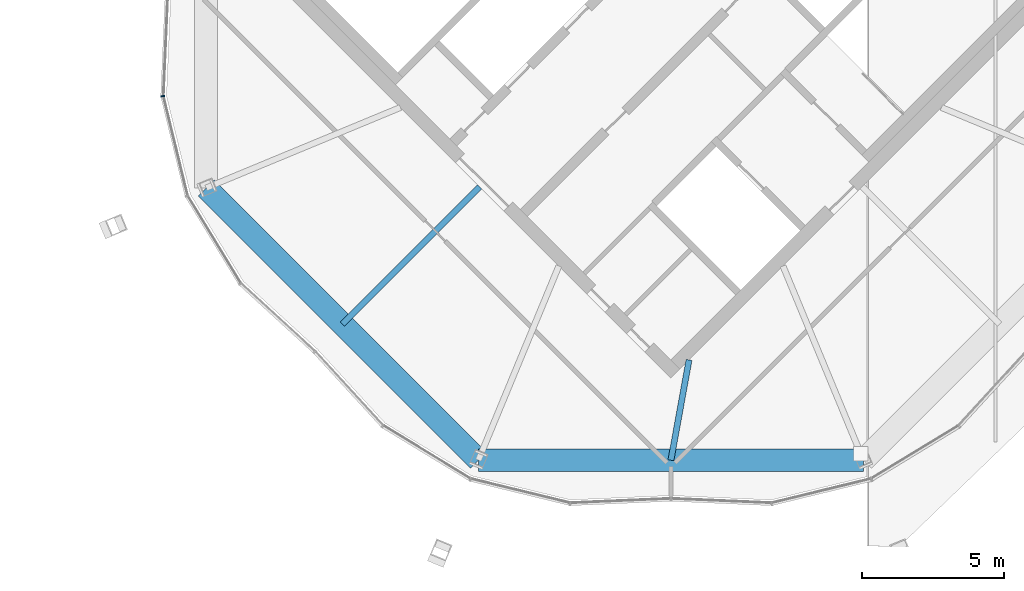
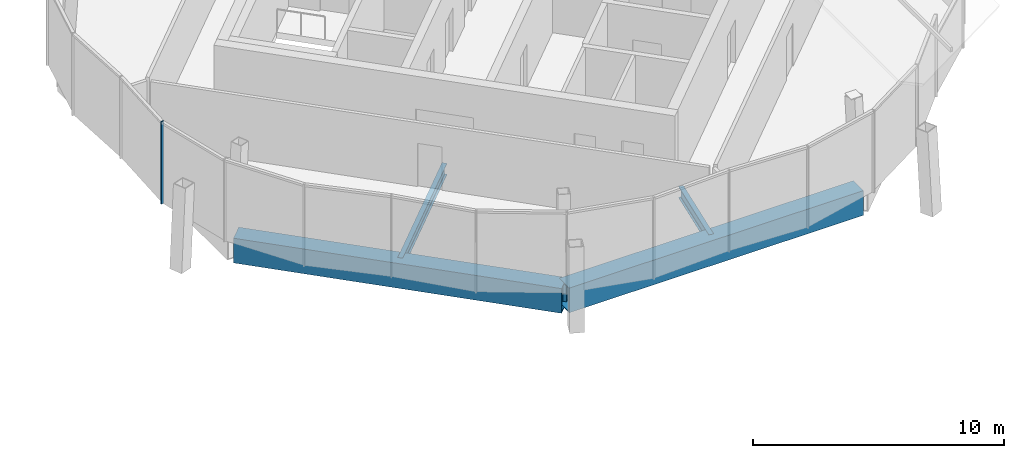
# One storey, part 11 of 23: 4 beams, 1 member, 1 element without a shape of its own.
"""IFC4 building model written with IfcOpenShell, lengths in metres."""

from ifc_helpers import new_model, si_unit, direction, frame, origin, origin_2d, place, context, subcontext, project, spatial, rectangle, hollow_rectangle, i_section, extrude, material, material_profile, profile_set, type_object, element, aggregate, save


model = new_model("IFC4")

# Units and contexts
model_context = context("Model", 3, precision=1e-05, world=origin(), true_north=direction((0.0, 1.0)))
body_context = subcontext(model_context, "Body", "Model", "MODEL_VIEW")
ifc_project = project(units=[si_unit("LENGTHUNIT", "METRE"), si_unit("AREAUNIT", "SQUARE_METRE"), si_unit("VOLUMEUNIT", "CUBIC_METRE"), si_unit("PLANEANGLEUNIT", "RADIAN"), si_unit("MASSUNIT", "GRAM", prefix="KILO")], contexts=[model_context])

# Site, building, storey
site_placement = place(None, origin())
site = spatial("IfcSite", under=ifc_project, at=site_placement, CompositionType="ELEMENT")
building_placement = place(site_placement, origin())
building = spatial("IfcBuilding", under=site, at=building_placement, Name="Ogive Gate Towers", CompositionType="ELEMENT")
storey_placement = place(building_placement, frame((0.0, 0.0, 302.0)))
storey = spatial("IfcBuildingStorey", under=building, at=storey_placement, Name="L71", CompositionType="ELEMENT", Elevation=302.0)

# Curtain wall, member
ifc_material_1 = material(Name="Pale metal aluminium", Category="aluminium")
curtain_wall_type = type_object("IfcCurtainWallType", Name="Crown lean wall", PredefinedType="NOTDEFINED", material=ifc_material_1)
curtain_wall_placement = place(storey_placement, origin())
curtain_wall = element("IfcCurtainWall", 1, at=curtain_wall_placement, inside=storey, type_object=curtain_wall_type, Name="CW5 T2 ECW05", PredefinedType="NOTDEFINED")
ifc_material_profile_1 = material_profile(ifc_material_1, rectangle(XDim=0.139892578125, YDim=0.050048828125, at=origin_2d()), Name="50 x 140 aluminium box")
ifc_profile_set_1 = profile_set([ifc_material_profile_1], Name="Pale metal aluminium")
member_type = type_object("IfcMemberType", Name="Crown lean wall mullion 50 x 140", PredefinedType="MULLION", material=ifc_profile_set_1)
member_placement = place(storey_placement, frame((18.151611328125, -3.537109375, -0.300048828125), z_axis=(0.0, 0.0, 1.0), x_axis=(0.995234210128, 0.097513419542, 0.0)))
member = element("IfcMember", 2, at=member_placement, type_object=member_type, Name="CW5 mullion", PredefinedType="MULLION", context=body_context, shape_type="SweptSolid", body=[
    extrude(rectangle(XDim=0.139892578125, YDim=0.050048828125, at=origin_2d()), origin(), (0.0, 0.0, 1.0), 4.0),
])
aggregate(curtain_wall, [member])

# Beams
ifc_material_2 = material(Name="Steel SM460", Category="steel")
ifc_material_profile_2 = material_profile(ifc_material_2, hollow_rectangle(XDim=0.800048828125, YDim=1.199951171875, WallThickness=0.050048828125, at=origin_2d()), Name="BX 1200x800x50")
ifc_profile_set_2 = profile_set([ifc_material_profile_2], Name="Steel SM460")
beam_type_1 = type_object("IfcBeamType", Name="Edge girder BX 1200x800x50", PredefinedType="BEAM", material=ifc_profile_set_2)
beam_1_placement = place(storey_placement, frame((19.6796875, -6.760009765625, -0.89990234375), z_axis=(0.707106781187, -0.707106781187, 0.0), x_axis=(0.707106781187, 0.707106781187, 0.0)))
element("IfcBeam", 3, at=beam_1_placement, inside=storey, type_object=beam_type_1, Name="T2/L71/SBM017", PredefinedType="BEAM", context=body_context, shape_type="SweptSolid", body=[
    extrude(hollow_rectangle(XDim=0.800048828125, YDim=1.199951171875, WallThickness=0.050048828125, at=origin_2d()), origin(), (0.0, 0.0, 1.0), 13.520263671875),
])
beam_2_placement = place(storey_placement, frame((29.239990234375, -16.3203125, -0.89990234375), z_axis=(1.0, 0.0, 0.0), x_axis=(0.0, 1.0, 0.0)))
element("IfcBeam", 4, at=beam_2_placement, inside=storey, type_object=beam_type_1, Name="T2/L71/SBM018", PredefinedType="BEAM", context=body_context, shape_type="SweptSolid", body=[
    extrude(hollow_rectangle(XDim=0.800048828125, YDim=1.199951171875, WallThickness=0.050048828125, at=origin_2d()), origin(), (0.0, 0.0, 1.0), 13.52001953125),
])
ifc_material_3 = material(Name="Steel SM355", Category="steel")
ifc_material_profile_3 = material_profile(ifc_material_3, i_section(OverallWidth=0.2099609375, OverallDepth=0.550048828125, WebThickness=0.010986328125, FlangeThickness=0.01708984375, FilletRadius=0.02392578125, at=origin_2d()), Name="IPE 550")
ifc_profile_set_3 = profile_set([ifc_material_profile_3], Name="Steel SM355")
beam_type_2 = type_object("IfcBeamType", Name="Radial floor beam IPE 550", PredefinedType="BEAM", material=ifc_profile_set_3)
beam_3_placement = place(storey_placement, frame((29.282470703125, -6.717529296875, -0.574951171875), z_axis=(-0.707106781187, -0.707106781187, 0.0), x_axis=(0.707106781187, -0.707106781187, 0.0)))
element("IfcBeam", 5, at=beam_3_placement, inside=storey, type_object=beam_type_2, Name="T2/L71/SBM002", PredefinedType="BEAM", context=body_context, shape_type="SweptSolid", body=[
    extrude(i_section(OverallWidth=0.2099609375, OverallDepth=0.550048828125, WebThickness=0.010986328125, FlangeThickness=0.01708984375, FilletRadius=0.02392578125, at=origin_2d()), origin(), (0.0, 0.0, 1.0), 6.8203125),
])
beam_4_placement = place(storey_placement, frame((36.636474609375, -12.798583984375, -0.574951171875), z_axis=(-0.177846773412, -0.984058191972, 0.0), x_axis=(0.984058191972, -0.177846773412, 0.0)))
element("IfcBeam", 6, at=beam_4_placement, inside=storey, type_object=beam_type_2, Name="T2/L71/SBM004", PredefinedType="BEAM", context=body_context, shape_type="SweptSolid", body=[
    extrude(i_section(OverallWidth=0.2099609375, OverallDepth=0.550048828125, WebThickness=0.010986328125, FlangeThickness=0.01708984375, FilletRadius=0.02392578125, at=origin_2d()), origin(), (0.0, 0.0, 1.0), 3.578857421875),
])

save(model, "model.ifc")
